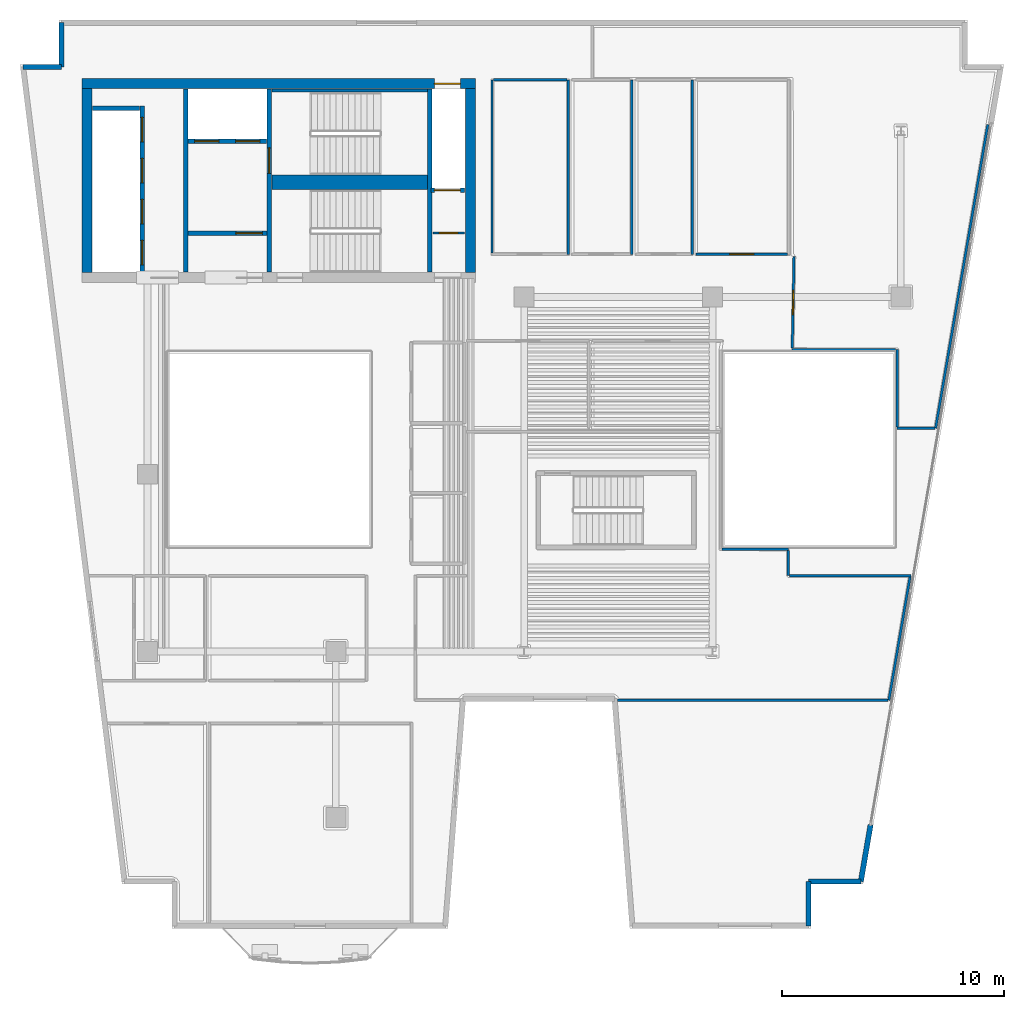
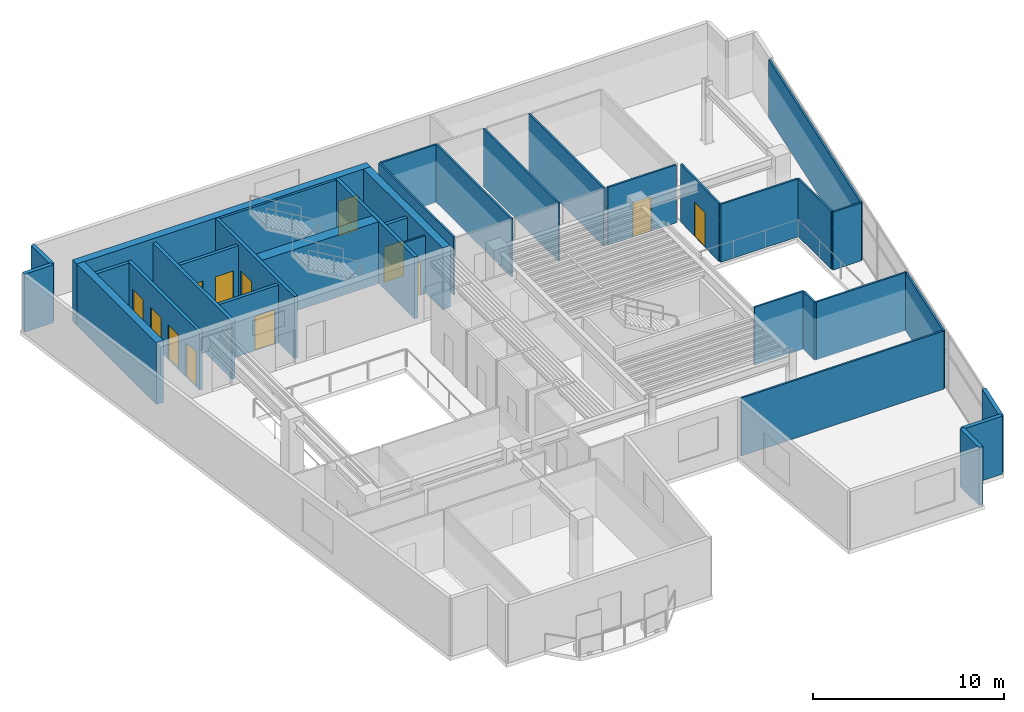
# One storey, part 5 of 9: 35 walls, 13 doors, 13 openings.
"""IFC4 building model written with IfcOpenShell, lengths in metres."""

from ifc_helpers import new_model, si_unit, direction, frame, frame_2d, origin, place, context, subcontext, project, spatial, rectangle, extrude, material, layer, layer_set, type_object, element, fill, save


model = new_model("IFC4")

# Units and contexts
model_context = context("Model", 3, precision=1e-05, world=origin(), true_north=direction((0.0, 1.0)))
body_context = subcontext(model_context, "Body", "Model", "MODEL_VIEW")
ifc_project = project(units=[si_unit("LENGTHUNIT", "METRE"), si_unit("AREAUNIT", "SQUARE_METRE"), si_unit("VOLUMEUNIT", "CUBIC_METRE"), si_unit("PLANEANGLEUNIT", "RADIAN"), si_unit("MASSUNIT", "GRAM", prefix="KILO")], contexts=[model_context])

# Site, building, storey
site_placement = place(None, origin())
site = spatial("IfcSite", under=ifc_project, at=site_placement, CompositionType="ELEMENT")
building_placement = place(site_placement, origin())
building = spatial("IfcBuilding", under=site, at=building_placement, Name="Caeloran Harvest Quay", CompositionType="ELEMENT")
storey_placement = place(building_placement, frame((0.0, 0.0, 211.39990234375)))
storey = spatial("IfcBuildingStorey", under=building, at=storey_placement, Name="L50", CompositionType="ELEMENT", Elevation=211.39990234375)

# Walls
ifc_material_1 = material(Name="Precast concrete C50/60", Category="concrete")
ifc_layer_1 = layer(ifc_material_1, 0.239990234375, Name="Precast concrete C50/60")
ifc_layer_set_1 = layer_set([ifc_layer_1], Name="Precast concrete C50/60")
wall_type_1 = type_object("IfcWallType", Name="ENV-WALL-EW-240", PredefinedType="STANDARD", material=ifc_layer_set_1)
wall_1_placement = place(storey_placement, frame((2.884765625, 41.3798828125, 0.0), z_axis=(0.0, 0.0, 1.0), x_axis=(1.0, 0.0, 0.0)))
element("IfcWall", 1, at=wall_1_placement, inside=storey, type_object=wall_type_1, Name="L50 Exterior Precast Concrete Facade Wall 4", PredefinedType="STANDARD", context=body_context, shape_type="SweptSolid", body=[
    extrude(rectangle(XDim=1.7353515625, YDim=0.239990234375, at=frame_2d((0.86767578125, 0.0))), origin(), (0.0, 0.0, 1.0), 3.7001953125),
])
wall_2_placement = place(storey_placement, frame((4.6201171875, 41.3798828125, 0.0), z_axis=(0.0, 0.0, 1.0), x_axis=(0.0, 1.0, 0.0)))
element("IfcWall", 2, at=wall_2_placement, inside=storey, type_object=wall_type_1, Name="L50 Exterior Precast Concrete Facade Wall 5", PredefinedType="STANDARD", context=body_context, shape_type="SweptSolid", body=[
    extrude(rectangle(XDim=2.0, YDim=0.239990234375, at=frame_2d((1.0, 0.0))), origin(), (0.0, 0.0, 1.0), 3.7001953125),
])
wall_3_placement = place(storey_placement, frame((41.135986328125, 7.182373046875, 0.0), z_axis=(0.0, 0.0, 1.0), x_axis=(-0.169315679152, -0.985561870606, 0.0)))
element("IfcWall", 3, at=wall_3_placement, inside=storey, type_object=wall_type_1, Name="L50 Exterior Facade Corner Pier Wall 9B", PredefinedType="STANDARD", context=body_context, shape_type="SweptSolid", body=[
    extrude(rectangle(XDim=2.599853515625, YDim=0.239990234375, at=frame_2d((1.2998046875, 0.0))), origin(), (0.0, 0.0, 1.0), 3.7001953125),
])
wall_4_placement = place(storey_placement, frame((40.69580078125, 4.6201171875, 0.0), z_axis=(0.0, 0.0, 1.0), x_axis=(-1.0, 0.0, 0.0)))
element("IfcWall", 4, at=wall_4_placement, inside=storey, type_object=wall_type_1, Name="L50 Exterior Precast Concrete Facade Wall 10", PredefinedType="STANDARD", context=body_context, shape_type="SweptSolid", body=[
    extrude(rectangle(XDim=2.36279296875, YDim=0.239990234375, at=frame_2d((1.181396484375, 0.0))), origin(), (0.0, 0.0, 1.0), 3.7001953125),
])
wall_5_placement = place(storey_placement, frame((38.3330078125, 4.6201171875, 0.0), z_axis=(0.0, 0.0, 1.0), x_axis=(0.0, -1.0, 0.0)))
element("IfcWall", 5, at=wall_5_placement, inside=storey, type_object=wall_type_1, Name="L50 Exterior Precast Concrete Facade Wall 11", PredefinedType="STANDARD", context=body_context, shape_type="SweptSolid", body=[
    extrude(rectangle(XDim=2.0, YDim=0.239990234375, at=frame_2d((1.0, 0.0))), origin(), (0.0, 0.0, 1.0), 3.7001953125),
])

# Wall, opening, door
ifc_material_2 = material(Name="Fire-Resisting Gypsum Core Riser Partition", Category="gypsum")
ifc_layer_2 = layer(ifc_material_2, 0.10009765625, Name="Fire-Resisting Gypsum Core Riser Partition")
ifc_layer_set_2 = layer_set([ifc_layer_2], Name="Fire-Resisting Gypsum Core Riser Partition")
wall_type_2 = type_object("IfcWallType", Name="INT-WALL-PW-100", PredefinedType="PARTITIONING", material=ifc_layer_set_2)
wall_6_placement = place(storey_placement, frame((21.3798828125, 33.889892578125, 0.0), z_axis=(0.0, 0.0, 1.0), x_axis=(1.0, 0.0, 0.0)))
wall_6 = element("IfcWall", 6, at=wall_6_placement, inside=storey, type_object=wall_type_2, Name="L50 Cleaner Store Partition Wall", PredefinedType="PARTITIONING", context=body_context, shape_type="SweptSolid", body=[
    extrude(rectangle(XDim=1.420166015625, YDim=0.10009765625, at=frame_2d((0.7099609375, 0.0))), origin(), (0.0, 0.0, 1.0), 3.7001953125),
])
opening_1_placement = place(wall_6_placement, frame((0.280029296875, 0.0, 0.0)))
opening_1 = element("IfcOpeningElement", 7, at=opening_1_placement, cuts=wall_6, Name="Opening SV-01", PredefinedType="OPENING", context=body_context, shape_type="SweptSolid", body=[
    extrude(rectangle(XDim=0.85009765625, YDim=2.10009765625, at=frame_2d((0.425048828125, 1.050048828125))), frame((0.0, 0.06005859375, 0.0), z_axis=(0.0, -1.0, 0.0), x_axis=(1.0, 0.0, 0.0)), (0.0, 0.0, 1.0), 0.1201171875),
])
ifc_material_3 = material(Name="Galvanized Painted Steel", Category="steel")
door_type_1 = type_object("IfcDoorType", Name="INTDOOR-SV-01", OperationType="NOTDEFINED", PredefinedType="DOOR", material=ifc_material_3)
door_1_placement = place(opening_1_placement, origin())
door_1 = element("IfcDoor", 8, at=door_1_placement, inside=storey, type_object=door_type_1, Name="L50 Cleaner Supply Store Access Door", OperationType="SINGLE_SWING_RIGHT", OverallHeight=2.10009765625, OverallWidth=0.85009765625, PredefinedType="DOOR", context=body_context, shape_type="SweptSolid", body=[
    extrude(rectangle(XDim=0.85009765625, YDim=2.10009765625, at=frame_2d((0.425048828125, 1.050048828125))), frame((0.0, 0.02490234375, 0.0), z_axis=(0.0, -1.0, 0.0), x_axis=(1.0, 0.0, 0.0)), (0.0, 0.0, 1.0), 0.050048828125),
])
fill(opening_1, door_1)

# Walls
ifc_material_4 = material(Name="Single-Stud Acoustic Gypsum Office Partition", Category="gypsum")
ifc_layer_3 = layer(ifc_material_4, 0.112060546875, Name="Single-Stud Acoustic Gypsum Office Partition")
ifc_layer_set_3 = layer_set([ifc_layer_3], Name="Single-Stud Acoustic Gypsum Office Partition")
wall_type_3 = type_object("IfcWallType", Name="INT-WALL-PW-112", PredefinedType="PARTITIONING", material=ifc_layer_set_3)
wall_7_placement = place(storey_placement, frame((27.5, 40.800048828125, 0.0), z_axis=(0.0, 0.0, 1.0), x_axis=(0.0, -1.0, 0.0)))
element("IfcWall", 9, at=wall_7_placement, inside=storey, type_object=wall_type_3, Name="L50 Bioinformatics Briefing Lounge Partition Wall", PredefinedType="PARTITIONING", context=body_context, shape_type="SweptSolid", body=[
    extrude(rectangle(XDim=7.880126953125, YDim=0.112060546875, at=frame_2d((3.93994140625, 0.0))), origin(), (0.0, 0.0, 1.0), 3.7001953125),
])
wall_8_placement = place(storey_placement, frame((24.050048828125, 32.98095703125, 0.0), z_axis=(0.0, 0.0, 1.0), x_axis=(0.0, 1.0, 0.0)))
element("IfcWall", 10, at=wall_8_placement, inside=storey, type_object=wall_type_3, Name="L50 Bioinformatics Briefing Lounge Partition Wall", PredefinedType="PARTITIONING", context=body_context, shape_type="SweptSolid", body=[
    extrude(rectangle(XDim=7.819091796875, YDim=0.112060546875, at=frame_2d((3.90966796875, 0.0))), origin(), (0.0, 0.0, 1.0), 3.7001953125),
])
wall_9_placement = place(storey_placement, frame((24.111083984375, 40.800048828125, 0.0), z_axis=(0.0, 0.0, 1.0), x_axis=(1.0, 0.0, 0.0)))
element("IfcWall", 11, at=wall_9_placement, inside=storey, type_object=wall_type_3, Name="L50 Bioinformatics Briefing Lounge Partition Wall", PredefinedType="PARTITIONING", context=body_context, shape_type="SweptSolid", body=[
    extrude(rectangle(XDim=3.327880859375, YDim=0.112060546875, at=frame_2d((1.6640625, 0.0))), origin(), (0.0, 0.0, 1.0), 3.7001953125),
])
for number, where, z_axis, x_axis, name in (
    (12, (30.35009765625, 40.800048828125, 0.0), (0.0, 0.0, 1.0), (0.0, -1.0, 0.0), "L50 Seed Imaging Laboratory Partition Wall"),
    (13, (33.090087890625, 40.800048828125, 0.0), (0.0, 0.0, 1.0), (0.0, -1.0, 0.0), "L50 Genomics Seminar West Room Partition Wall"),
):
    element("IfcWall", number, at=place(storey_placement, frame(where, z_axis=z_axis, x_axis=x_axis)), inside=storey, type_object=wall_type_3, Name=name, PredefinedType="PARTITIONING", context=body_context, shape_type="SweptSolid", body=[
        extrude(rectangle(XDim=7.880126953125, YDim=0.112060546875, at=frame_2d((3.93994140625, 0.0))), origin(), (0.0, 0.0, 1.0), 3.7001953125),
    ])

# Wall, opening, door
wall_10_placement = place(storey_placement, frame((37.388916015625, 32.919921875, 0.0), z_axis=(0.0, 0.0, 1.0), x_axis=(-1.0, 0.0, 0.0)))
wall_10 = element("IfcWall", 14, at=wall_10_placement, inside=storey, type_object=wall_type_3, Name="L50 Executive Archive East Studio Partition Wall", PredefinedType="PARTITIONING", context=body_context, shape_type="SweptSolid", body=[
    extrude(rectangle(XDim=4.138916015625, YDim=0.112060546875, at=frame_2d((2.0693359375, 0.0))), origin(), (0.0, 0.0, 1.0), 3.7001953125),
])
opening_2_placement = place(wall_10_placement, frame((1.51953125, 0.0, 0.0)))
opening_2 = element("IfcOpeningElement", 15, at=opening_2_placement, cuts=wall_10, Name="Opening ID-04", PredefinedType="OPENING", context=body_context, shape_type="SweptSolid", body=[
    extrude(rectangle(XDim=1.10009765625, YDim=2.199951171875, at=frame_2d((0.550048828125, 1.10009765625))), frame((0.0, 0.06591796875, 0.0), z_axis=(0.0, -1.0, 0.0), x_axis=(1.0, 0.0, 0.0)), (0.0, 0.0, 1.0), 0.132080078125),
])
ifc_material_5 = material(Name="Acoustic Walnut Veneer Executive Door", Category="wood")
door_type_2 = type_object("IfcDoorType", Name="INTDOOR-ID-04", OperationType="NOTDEFINED", PredefinedType="DOOR", material=ifc_material_5)
door_2_placement = place(opening_2_placement, origin())
door_2 = element("IfcDoor", 16, at=door_2_placement, inside=storey, type_object=door_type_2, Name="L50 Executive Archive East Studio Access Door", OperationType="SINGLE_SWING_RIGHT", OverallHeight=2.199951171875, OverallWidth=1.10009765625, PredefinedType="DOOR", context=body_context, shape_type="SweptSolid", body=[
    extrude(rectangle(XDim=1.10009765625, YDim=2.199951171875, at=frame_2d((0.550048828125, 1.10009765625))), frame((0.0, 0.02490234375, 0.0), z_axis=(0.0, -1.0, 0.0), x_axis=(1.0, 0.0, 0.0)), (0.0, 0.0, 1.0), 0.050048828125),
])
fill(opening_2, door_2)

# Walls
wall_11_placement = place(storey_placement, frame((34.430908203125, 19.6201171875, 0.0), z_axis=(0.0, 0.0, 1.0), x_axis=(1.0, 0.0, 0.0)))
element("IfcWall", 17, at=wall_11_placement, inside=storey, type_object=wall_type_3, Name="Roundtable Conference Room Partition Wall", PredefinedType="PARTITIONING", context=body_context, shape_type="SweptSolid", body=[
    extrude(rectangle(XDim=2.989013671875, YDim=0.112060546875, at=frame_2d((1.49462890625, 0.0))), origin(), (0.0, 0.0, 1.0), 3.7001953125),
])
wall_12_placement = place(storey_placement, frame((37.419921875, 19.55908203125, 0.0), z_axis=(0.0, 0.0, 1.0), x_axis=(0.0, -1.0, 0.0)))
element("IfcWall", 18, at=wall_12_placement, inside=storey, type_object=wall_type_3, Name="Roundtable Conference Room Partition Wall", PredefinedType="PARTITIONING", context=body_context, shape_type="SweptSolid", body=[
    extrude(rectangle(XDim=1.13916015625, YDim=0.112060546875, at=frame_2d((0.569580078125, 0.0))), origin(), (0.0, 0.0, 1.0), 3.7001953125),
])
wall_13_placement = place(storey_placement, frame((37.48095703125, 18.419921875, 0.0), z_axis=(0.0, 0.0, 1.0), x_axis=(1.0, 0.0, 0.0)))
element("IfcWall", 19, at=wall_13_placement, inside=storey, type_object=wall_type_3, Name="Roundtable Conference Room Partition Wall", PredefinedType="PARTITIONING", context=body_context, shape_type="SweptSolid", body=[
    extrude(rectangle(XDim=5.47998046875, YDim=0.112060546875, at=frame_2d((2.739990234375, 0.0))), origin(), (0.0, 0.0, 1.0), 3.7001953125),
])
wall_14_placement = place(storey_placement, frame((42.91455078125, 18.35888671875, 0.0), z_axis=(0.0, 0.0, 1.0), x_axis=(-0.169247345334, -0.985573607651, 0.0)))
element("IfcWall", 20, at=wall_14_placement, inside=storey, type_object=wall_type_3, Name="Roundtable Conference Room Partition Wall", PredefinedType="PARTITIONING", context=body_context, shape_type="SweptSolid", body=[
    extrude(rectangle(XDim=5.64013671875, YDim=0.112060546875, at=frame_2d((2.820068359375, 0.0))), origin(), (0.0, 0.0, 1.0), 3.7001953125),
])
wall_15_placement = place(storey_placement, frame((41.930419921875, 12.800048828125, 0.0), z_axis=(0.0, 0.0, 1.0), x_axis=(-1.0, 0.0, 0.0)))
element("IfcWall", 21, at=wall_15_placement, inside=storey, type_object=wall_type_3, Name="Roundtable Conference Room Partition Wall", PredefinedType="PARTITIONING", context=body_context, shape_type="SweptSolid", body=[
    extrude(rectangle(XDim=12.21923828125, YDim=0.112060546875, at=frame_2d((6.109619140625, 0.0))), origin(), (0.0, 0.0, 1.0), 3.7001953125),
])
wall_16_placement = place(storey_placement, frame((46.424560546875, 38.777099609375, 0.0), z_axis=(0.0, 0.0, 1.0), x_axis=(-0.169413343695, -0.985545087238, 0.0)))
element("IfcWall", 22, at=wall_16_placement, inside=storey, type_object=wall_type_3, Name="Policy Seminar Meeting Hall 8 Partition Wall", PredefinedType="PARTITIONING", context=body_context, shape_type="SweptSolid", body=[
    extrude(rectangle(XDim=13.89794921875, YDim=0.112060546875, at=frame_2d((6.948974609375, 0.0))), origin(), (0.0, 0.0, 1.0), 3.7001953125),
])
wall_17_placement = place(storey_placement, frame((44.04052734375, 25.080078125, 0.0), z_axis=(0.0, 0.0, 1.0), x_axis=(-1.0, 0.0, 0.0)))
element("IfcWall", 23, at=wall_17_placement, inside=storey, type_object=wall_type_3, Name="Policy Seminar Meeting Hall 8 Partition Wall", PredefinedType="PARTITIONING", context=body_context, shape_type="SweptSolid", body=[
    extrude(rectangle(XDim=1.71044921875, YDim=0.112060546875, at=frame_2d((0.855224609375, 0.0))), origin(), (0.0, 0.0, 1.0), 3.7001953125),
])
wall_18_placement = place(storey_placement, frame((42.330078125, 25.14111328125, 0.0), z_axis=(0.0, 0.0, 1.0), x_axis=(0.0, 1.0, 0.0)))
element("IfcWall", 24, at=wall_18_placement, inside=storey, type_object=wall_type_3, Name="Policy Seminar Meeting Hall 8 Partition Wall", PredefinedType="PARTITIONING", context=body_context, shape_type="SweptSolid", body=[
    extrude(rectangle(XDim=3.48876953125, YDim=0.112060546875, at=frame_2d((1.744384765625, 0.0))), origin(), (0.0, 0.0, 1.0), 3.7001953125),
])
wall_19_placement = place(storey_placement, frame((42.26904296875, 28.6298828125, 0.0), z_axis=(0.0, 0.0, 1.0), x_axis=(-1.0, 0.0, 0.0)))
element("IfcWall", 25, at=wall_19_placement, inside=storey, type_object=wall_type_3, Name="Policy Seminar Meeting Hall 8 Partition Wall", PredefinedType="PARTITIONING", context=body_context, shape_type="SweptSolid", body=[
    extrude(rectangle(XDim=4.671142578125, YDim=0.112060546875, at=frame_2d((2.33544921875, 0.0))), origin(), (0.0, 0.0, 1.0), 3.7001953125),
])

# Wall, opening, door
wall_20_placement = place(storey_placement, frame((37.59912109375, 28.69091796875, 0.0), z_axis=(0.0, 0.0, 1.0), x_axis=(0.019566997539, 0.999808547977, 0.0)))
wall_20 = element("IfcWall", 26, at=wall_20_placement, inside=storey, type_object=wall_type_3, Name="Policy Seminar Meeting Hall 8 Partition Wall", PredefinedType="PARTITIONING", context=body_context, shape_type="SweptSolid", body=[
    extrude(rectangle(XDim=4.1298828125, YDim=0.112060546875, at=frame_2d((2.06494140625, 0.0))), origin(), (0.0, 0.0, 1.0), 3.7001953125),
])
opening_3_placement = place(wall_20_placement, frame((1.514892578125, 0.0, 0.0)))
opening_3 = element("IfcOpeningElement", 27, at=opening_3_placement, cuts=wall_20, Name="Opening ID-04", PredefinedType="OPENING", context=body_context, shape_type="SweptSolid", body=[
    extrude(rectangle(XDim=1.10009765625, YDim=2.199951171875, at=frame_2d((0.550048828125, 1.10009765625))), frame((0.0, 0.06591796875, 0.0), z_axis=(0.0, -1.0, 0.0), x_axis=(1.0, 0.0, 0.0)), (0.0, 0.0, 1.0), 0.132080078125),
])
door_3_placement = place(opening_3_placement, origin())
door_3 = element("IfcDoor", 28, at=door_3_placement, inside=storey, type_object=door_type_2, Name="Policy Seminar Meeting Hall 8 Access Door", OperationType="SINGLE_SWING_LEFT", OverallHeight=2.199951171875, OverallWidth=1.10009765625, PredefinedType="DOOR", context=body_context, shape_type="SweptSolid", body=[
    extrude(rectangle(XDim=1.10009765625, YDim=2.199951171875, at=frame_2d((0.550048828125, 1.10009765625))), frame((0.0, 0.02490234375, 0.0), z_axis=(0.0, -1.0, 0.0), x_axis=(1.0, 0.0, 0.0)), (0.0, 0.0, 1.0), 0.050048828125),
])
fill(opening_3, door_3)

# Wall, openings, doors
ifc_material_6 = material(Name="Concrete C50/60", Category="concrete")
ifc_layer_4 = layer(ifc_material_6, 0.199951171875, Name="Concrete C50/60")
ifc_layer_set_4 = layer_set([ifc_layer_4], Name="Concrete C50/60")
wall_type_4 = type_object("IfcWallType", Name="INT-WALL-SW-200", PredefinedType="PARTITIONING", material=ifc_layer_set_4)
wall_21_placement = place(storey_placement, frame((8.260009765625, 32.1201171875, 0.0), z_axis=(0.0, 0.0, 1.0), x_axis=(0.0, 1.0, 0.0)))
wall_21 = element("IfcWall", 29, at=wall_21_placement, inside=storey, type_object=wall_type_4, Name="L50 Bank 3 Lift Shaft Wall", PredefinedType="PARTITIONING", context=body_context, shape_type="SweptSolid", body=[
    extrude(rectangle(XDim=7.5, YDim=0.199951171875, at=frame_2d((3.75, 0.0))), origin(), (0.0, 0.0, 1.0), 3.7001953125),
])
opening_4_placement = place(wall_21_placement, frame((0.330078125, 0.0, 0.0)))
opening_4 = element("IfcOpeningElement", 30, at=opening_4_placement, cuts=wall_21, Name="Opening LD-01", PredefinedType="OPENING", context=body_context, shape_type="SweptSolid", body=[
    extrude(rectangle(XDim=1.10009765625, YDim=2.199951171875, at=frame_2d((0.550048828125, 1.10009765625))), frame((0.0, 0.10986328125, 0.0), z_axis=(0.0, -1.0, 0.0), x_axis=(1.0, 0.0, 0.0)), (0.0, 0.0, 1.0), 0.219970703125),
])
opening_5_placement = place(wall_21_placement, frame((2.179931640625, 0.0, 0.0)))
opening_5 = element("IfcOpeningElement", 31, at=opening_5_placement, cuts=wall_21, Name="Opening LD-01", PredefinedType="OPENING", context=body_context, shape_type="SweptSolid", body=[
    extrude(rectangle(XDim=1.10009765625, YDim=2.199951171875, at=frame_2d((0.550048828125, 1.10009765625))), frame((0.0, 0.10986328125, 0.0), z_axis=(0.0, -1.0, 0.0), x_axis=(1.0, 0.0, 0.0)), (0.0, 0.0, 1.0), 0.219970703125),
])
opening_6_placement = place(wall_21_placement, frame((4.030029296875, 0.0, 0.0)))
opening_6 = element("IfcOpeningElement", 32, at=opening_6_placement, cuts=wall_21, Name="Opening LD-01", PredefinedType="OPENING", context=body_context, shape_type="SweptSolid", body=[
    extrude(rectangle(XDim=1.10009765625, YDim=2.199951171875, at=frame_2d((0.550048828125, 1.10009765625))), frame((0.0, 0.10986328125, 0.0), z_axis=(0.0, -1.0, 0.0), x_axis=(1.0, 0.0, 0.0)), (0.0, 0.0, 1.0), 0.219970703125),
])
opening_7_placement = place(wall_21_placement, frame((5.8798828125, 0.0, 0.0)))
opening_7 = element("IfcOpeningElement", 33, at=opening_7_placement, cuts=wall_21, Name="Opening LD-01", PredefinedType="OPENING", context=body_context, shape_type="SweptSolid", body=[
    extrude(rectangle(XDim=1.10009765625, YDim=2.199951171875, at=frame_2d((0.550048828125, 1.10009765625))), frame((0.0, 0.10986328125, 0.0), z_axis=(0.0, -1.0, 0.0), x_axis=(1.0, 0.0, 0.0)), (0.0, 0.0, 1.0), 0.219970703125),
])
ifc_material_7 = material(Name="Stainless Steel Grade 316", Category="steel")
door_type_3 = type_object("IfcDoorType", Name="INTDOOR-LD-01", OperationType="NOTDEFINED", PredefinedType="DOOR", material=ifc_material_7)
door_4_placement = place(opening_4_placement, origin())
door_4 = element("IfcDoor", 34, at=door_4_placement, inside=storey, type_object=door_type_3, Name="Lift P3-1 Sliding Landing Door (L50)", OperationType="DOUBLE_DOOR_SLIDING", OverallHeight=2.199951171875, OverallWidth=1.10009765625, PredefinedType="DOOR", context=body_context, shape_type="SweptSolid", body=[
    extrude(rectangle(XDim=1.10009765625, YDim=2.199951171875, at=frame_2d((0.550048828125, 1.10009765625))), frame((0.0, 0.02490234375, 0.0), z_axis=(0.0, -1.0, 0.0), x_axis=(1.0, 0.0, 0.0)), (0.0, 0.0, 1.0), 0.050048828125),
])
fill(opening_4, door_4)
door_5_placement = place(opening_5_placement, origin())
door_5 = element("IfcDoor", 35, at=door_5_placement, inside=storey, type_object=door_type_3, Name="Lift P3-2 Sliding Landing Door (L50)", OperationType="DOUBLE_DOOR_SLIDING", OverallHeight=2.199951171875, OverallWidth=1.10009765625, PredefinedType="DOOR", context=body_context, shape_type="SweptSolid", body=[
    extrude(rectangle(XDim=1.10009765625, YDim=2.199951171875, at=frame_2d((0.550048828125, 1.10009765625))), frame((0.0, 0.02490234375, 0.0), z_axis=(0.0, -1.0, 0.0), x_axis=(1.0, 0.0, 0.0)), (0.0, 0.0, 1.0), 0.050048828125),
])
fill(opening_5, door_5)
door_6_placement = place(opening_6_placement, origin())
door_6 = element("IfcDoor", 36, at=door_6_placement, inside=storey, type_object=door_type_3, Name="Lift P3-3 Sliding Landing Door (L50)", OperationType="DOUBLE_DOOR_SLIDING", OverallHeight=2.199951171875, OverallWidth=1.10009765625, PredefinedType="DOOR", context=body_context, shape_type="SweptSolid", body=[
    extrude(rectangle(XDim=1.10009765625, YDim=2.199951171875, at=frame_2d((0.550048828125, 1.10009765625))), frame((0.0, 0.02490234375, 0.0), z_axis=(0.0, -1.0, 0.0), x_axis=(1.0, 0.0, 0.0)), (0.0, 0.0, 1.0), 0.050048828125),
])
fill(opening_6, door_6)
door_7_placement = place(opening_7_placement, origin())
door_7 = element("IfcDoor", 37, at=door_7_placement, inside=storey, type_object=door_type_3, Name="Lift P3-4 Sliding Landing Door (L50)", OperationType="DOUBLE_DOOR_SLIDING", OverallHeight=2.199951171875, OverallWidth=1.10009765625, PredefinedType="DOOR", context=body_context, shape_type="SweptSolid", body=[
    extrude(rectangle(XDim=1.10009765625, YDim=2.199951171875, at=frame_2d((0.550048828125, 1.10009765625))), frame((0.0, 0.02490234375, 0.0), z_axis=(0.0, -1.0, 0.0), x_axis=(1.0, 0.0, 0.0)), (0.0, 0.0, 1.0), 0.050048828125),
])
fill(opening_7, door_7)

# Walls
wall_22_placement = place(storey_placement, frame((6.02001953125, 39.52001953125, 0.0), z_axis=(0.0, 0.0, 1.0), x_axis=(1.0, 0.0, 0.0)))
element("IfcWall", 38, at=wall_22_placement, inside=storey, type_object=wall_type_4, Name="L50 Bank 3 Lift Shaft North End Wall", PredefinedType="PARTITIONING", context=body_context, shape_type="SweptSolid", body=[
    extrude(rectangle(XDim=2.119873046875, YDim=0.199951171875, at=frame_2d((1.06005859375, 0.0))), origin(), (0.0, 0.0, 1.0), 3.7001953125),
])
wall_23_placement = place(storey_placement, frame((10.219970703125, 32.1201171875, 0.0), z_axis=(0.0, 0.0, 1.0), x_axis=(0.0, 1.0, 0.0)))
element("IfcWall", 39, at=wall_23_placement, inside=storey, type_object=wall_type_4, Name="L50 Core Lobby Compartment Wall", PredefinedType="PARTITIONING", context=body_context, shape_type="SweptSolid", body=[
    extrude(rectangle(XDim=8.259765625, YDim=0.199951171875, at=frame_2d((4.1298828125, 0.0))), origin(), (0.0, 0.0, 1.0), 3.7001953125),
])

# Wall, openings, doors
wall_24_placement = place(storey_placement, frame((10.340087890625, 38.02001953125, 0.0), z_axis=(0.0, 0.0, 1.0), x_axis=(1.0, 0.0, 0.0)))
wall_24 = element("IfcWall", 40, at=wall_24_placement, inside=storey, type_object=wall_type_4, Name="L50 Firefighting Lift Shaft Wall", PredefinedType="PARTITIONING", context=body_context, shape_type="SweptSolid", body=[
    extrude(rectangle(XDim=3.539794921875, YDim=0.199951171875, at=frame_2d((1.77001953125, 0.0))), origin(), (0.0, 0.0, 1.0), 3.7001953125),
])
opening_8_placement = place(wall_24_placement, frame((0.284912109375, 0.0, 0.0)))
opening_8 = element("IfcOpeningElement", 41, at=opening_8_placement, cuts=wall_24, Name="Opening LD-01", PredefinedType="OPENING", context=body_context, shape_type="SweptSolid", body=[
    extrude(rectangle(XDim=1.10009765625, YDim=2.199951171875, at=frame_2d((0.550048828125, 1.10009765625))), frame((0.0, 0.10986328125, 0.0), z_axis=(0.0, -1.0, 0.0), x_axis=(1.0, 0.0, 0.0)), (0.0, 0.0, 1.0), 0.219970703125),
])
opening_9_placement = place(wall_24_placement, frame((2.135009765625, 0.0, 0.0)))
opening_9 = element("IfcOpeningElement", 42, at=opening_9_placement, cuts=wall_24, Name="Opening LD-01", PredefinedType="OPENING", context=body_context, shape_type="SweptSolid", body=[
    extrude(rectangle(XDim=1.10009765625, YDim=2.199951171875, at=frame_2d((0.550048828125, 1.10009765625))), frame((0.0, 0.10986328125, 0.0), z_axis=(0.0, -1.0, 0.0), x_axis=(1.0, 0.0, 0.0)), (0.0, 0.0, 1.0), 0.219970703125),
])
door_8_placement = place(opening_8_placement, origin())
door_8 = element("IfcDoor", 43, at=door_8_placement, inside=storey, type_object=door_type_3, Name="Lift FF-1 Sliding Landing Door (L50)", OperationType="DOUBLE_DOOR_SLIDING", OverallHeight=2.199951171875, OverallWidth=1.10009765625, PredefinedType="DOOR", context=body_context, shape_type="SweptSolid", body=[
    extrude(rectangle(XDim=1.10009765625, YDim=2.199951171875, at=frame_2d((0.550048828125, 1.10009765625))), frame((0.0, 0.02490234375, 0.0), z_axis=(0.0, -1.0, 0.0), x_axis=(1.0, 0.0, 0.0)), (0.0, 0.0, 1.0), 0.050048828125),
])
fill(opening_8, door_8)
door_9_placement = place(opening_9_placement, origin())
door_9 = element("IfcDoor", 44, at=door_9_placement, inside=storey, type_object=door_type_3, Name="Lift FF-2 Sliding Landing Door (L50)", OperationType="DOUBLE_DOOR_SLIDING", OverallHeight=2.199951171875, OverallWidth=1.10009765625, PredefinedType="DOOR", context=body_context, shape_type="SweptSolid", body=[
    extrude(rectangle(XDim=1.10009765625, YDim=2.199951171875, at=frame_2d((0.550048828125, 1.10009765625))), frame((0.0, 0.02490234375, 0.0), z_axis=(0.0, -1.0, 0.0), x_axis=(1.0, 0.0, 0.0)), (0.0, 0.0, 1.0), 0.050048828125),
])
fill(opening_9, door_9)

# Wall, opening, door
wall_25_placement = place(storey_placement, frame((10.340087890625, 33.8798828125, 0.0), z_axis=(0.0, 0.0, 1.0), x_axis=(1.0, 0.0, 0.0)))
wall_25 = element("IfcWall", 45, at=wall_25_placement, inside=storey, type_object=wall_type_4, Name="L50 Firefighting Lift Lobby Enclosure Wall", PredefinedType="PARTITIONING", context=body_context, shape_type="SweptSolid", body=[
    extrude(rectangle(XDim=3.559814453125, YDim=0.199951171875, at=frame_2d((1.77978515625, 0.0))), origin(), (0.0, 0.0, 1.0), 3.7001953125),
])
opening_10_placement = place(wall_25_placement, frame((2.14990234375, 0.0, 0.0)))
opening_10 = element("IfcOpeningElement", 46, at=opening_10_placement, cuts=wall_25, Name="Opening FD-01", PredefinedType="OPENING", context=body_context, shape_type="SweptSolid", body=[
    extrude(rectangle(XDim=1.199951171875, YDim=2.199951171875, at=frame_2d((0.60009765625, 1.10009765625))), frame((0.0, 0.10986328125, 0.0), z_axis=(0.0, -1.0, 0.0), x_axis=(1.0, 0.0, 0.0)), (0.0, 0.0, 1.0), 0.219970703125),
])
ifc_material_8 = material(Name="Steel", Category="steel")
door_type_4 = type_object("IfcDoorType", Name="INTDOOR-FD-01", OperationType="NOTDEFINED", PredefinedType="DOOR", material=ifc_material_8)
door_10_placement = place(opening_10_placement, origin())
door_10 = element("IfcDoor", 47, at=door_10_placement, inside=storey, type_object=door_type_4, Name="L50 Firefighting Lift Lobby Smoke-Seal Fire Door", OperationType="SINGLE_SWING_LEFT", OverallHeight=2.199951171875, OverallWidth=1.199951171875, PredefinedType="DOOR", context=body_context, shape_type="SweptSolid", body=[
    extrude(rectangle(XDim=1.199951171875, YDim=2.199951171875, at=frame_2d((0.60009765625, 1.10009765625))), frame((0.0, 0.02490234375, 0.0), z_axis=(0.0, -1.0, 0.0), x_axis=(1.0, 0.0, 0.0)), (0.0, 0.0, 1.0), 0.050048828125),
])
fill(opening_10, door_10)

wall_26_placement = place(storey_placement, frame((21.300048828125, 35.820068359375, 0.0), z_axis=(0.0, 0.0, 1.0), x_axis=(1.0, 0.0, 0.0)))
wall_26 = element("IfcWall", 48, at=wall_26_placement, inside=storey, type_object=wall_type_4, Name="L50 Service Lift SV-2 Shaft Wall", PredefinedType="PARTITIONING", context=body_context, shape_type="SweptSolid", body=[
    extrude(rectangle(XDim=1.5, YDim=0.199951171875, at=frame_2d((0.75, 0.0))), origin(), (0.0, 0.0, 1.0), 3.7001953125),
])
opening_11_placement = place(wall_26_placement, frame((0.14501953125, 0.0, 0.0)))
opening_11 = element("IfcOpeningElement", 49, at=opening_11_placement, cuts=wall_26, Name="Opening LD-02", PredefinedType="OPENING", context=body_context, shape_type="SweptSolid", body=[
    extrude(rectangle(XDim=1.179931640625, YDim=2.25, at=frame_2d((0.58984375, 1.125))), frame((0.0, 0.10986328125, 0.0), z_axis=(0.0, -1.0, 0.0), x_axis=(1.0, 0.0, 0.0)), (0.0, 0.0, 1.0), 0.219970703125),
])
door_type_5 = type_object("IfcDoorType", Name="INTDOOR-LD-02", OperationType="NOTDEFINED", PredefinedType="DOOR", material=ifc_material_7)
door_11_placement = place(opening_11_placement, origin())
door_11 = element("IfcDoor", 50, at=door_11_placement, inside=storey, type_object=door_type_5, Name="Lift SV-2 Sliding Landing Door (L50)", OperationType="DOUBLE_DOOR_SLIDING", OverallHeight=2.25, OverallWidth=1.179931640625, PredefinedType="DOOR", context=body_context, shape_type="SweptSolid", body=[
    extrude(rectangle(XDim=1.179931640625, YDim=2.25, at=frame_2d((0.58984375, 1.125))), frame((0.0, 0.02490234375, 0.0), z_axis=(0.0, -1.0, 0.0), x_axis=(1.0, 0.0, 0.0)), (0.0, 0.0, 1.0), 0.050048828125),
])
fill(opening_11, door_11)

ifc_material_9 = material(Name="Concrete C60/75", Category="concrete")
ifc_layer_5 = layer(ifc_material_9, 0.449951171875, Name="Concrete C60/75")
ifc_layer_set_5 = layer_set([ifc_layer_5], Name="Concrete C60/75")
wall_type_5 = type_object("IfcWallType", Name="STR-WALL-CW-450", PredefinedType="SHEAR", material=ifc_layer_set_5)
wall_27_placement = place(storey_placement, frame((5.550048828125, 40.625, 0.0), z_axis=(0.0, 0.0, 1.0), x_axis=(1.0, 0.0, 0.0)))
wall_27 = element("IfcWall", 51, at=wall_27_placement, inside=storey, type_object=wall_type_5, Name="L50 Rear Core Shear Wall N", PredefinedType="SHEAR", context=body_context, shape_type="SweptSolid", body=[
    extrude(rectangle(XDim=17.75, YDim=0.449951171875, at=frame_2d((8.875, 0.0))), origin(), (0.0, 0.0, 1.0), 3.9501953125),
])
opening_12_placement = place(wall_27_placement, frame((15.89501953125, 0.0, 0.0)))
opening_12 = element("IfcOpeningElement", 52, at=opening_12_placement, cuts=wall_27, Name="Opening LD-02", PredefinedType="OPENING", context=body_context, shape_type="SweptSolid", body=[
    extrude(rectangle(XDim=1.179931640625, YDim=2.25, at=frame_2d((0.58984375, 1.125))), frame((0.0, 0.23486328125, 0.0), z_axis=(0.0, -1.0, 0.0), x_axis=(1.0, 0.0, 0.0)), (0.0, 0.0, 1.0), 0.469970703125),
])
door_12_placement = place(opening_12_placement, origin())
door_12 = element("IfcDoor", 53, at=door_12_placement, inside=storey, type_object=door_type_5, Name="Lift SV-1 Sliding Landing Door (L50)", OperationType="DOUBLE_DOOR_SLIDING", OverallHeight=2.25, OverallWidth=1.179931640625, PredefinedType="DOOR", context=body_context, shape_type="SweptSolid", body=[
    extrude(rectangle(XDim=1.179931640625, YDim=2.25, at=frame_2d((0.58984375, 1.125))), frame((0.0, 0.02490234375, 0.0), z_axis=(0.0, -1.0, 0.0), x_axis=(1.0, 0.0, 0.0)), (0.0, 0.0, 1.0), 0.050048828125),
])
fill(opening_12, door_12)

# Walls
for number, where, z_axis, x_axis, name in (
    (54, (5.77490234375, 32.10009765625, 0.0), (0.0, 0.0, 1.0), (0.0, 1.0, 0.0), "L50 Rear Core Shear Wall W"),
    (55, (23.074951171875, 32.10009765625, 0.0), (0.0, 0.0, 1.0), (0.0, 1.0, 0.0), "L50 Rear Core Shear Wall E"),
):
    element("IfcWall", number, at=place(storey_placement, frame(where, z_axis=z_axis, x_axis=x_axis)), inside=storey, type_object=wall_type_5, Name=name, PredefinedType="SHEAR", context=body_context, shape_type="SweptSolid", body=[
        extrude(rectangle(XDim=8.2998046875, YDim=0.449951171875, at=frame_2d((4.14990234375, 0.0))), origin(), (0.0, 0.0, 1.0), 3.9501953125),
    ])
ifc_layer_6 = layer(ifc_material_9, 0.64990234375, Name="Concrete C60/75")
ifc_layer_set_6 = layer_set([ifc_layer_6], Name="Concrete C60/75")
wall_type_6 = type_object("IfcWallType", Name="STR-WALL-CW-650", PredefinedType="SHEAR", material=ifc_layer_set_6)
wall_28_placement = place(storey_placement, frame((14.1201171875, 36.175048828125, 0.0), z_axis=(0.0, 0.0, 1.0), x_axis=(1.0, 0.0, 0.0)))
element("IfcWall", 56, at=wall_28_placement, inside=storey, type_object=wall_type_6, Name="L50 Core Stairs Dividing Shear Wall", PredefinedType="SHEAR", context=body_context, shape_type="SweptSolid", body=[
    extrude(rectangle(XDim=7.009765625, YDim=0.64990234375, at=frame_2d((3.5048828125, 0.0))), origin(), (0.0, 0.0, 1.0), 3.9501953125),
])
ifc_layer_7 = layer(ifc_material_9, 0.139892578125, Name="Concrete C60/75")
ifc_layer_set_7 = layer_set([ifc_layer_7], Name="Concrete C60/75")
wall_type_7 = type_object("IfcWallType", Name="STR-WALL-SW-140", PredefinedType="SHEAR", material=ifc_layer_set_7)
wall_29_placement = place(storey_placement, frame((14.1201171875, 40.320068359375, 0.0), z_axis=(0.0, 0.0, 1.0), x_axis=(1.0, 0.0, 0.0)))
element("IfcWall", 57, at=wall_29_placement, inside=storey, type_object=wall_type_7, Name="L50 Core Stair ST-C1 North Bearing Shear Wall", PredefinedType="SHEAR", context=body_context, shape_type="SweptSolid", body=[
    extrude(rectangle(XDim=7.009765625, YDim=0.139892578125, at=frame_2d((3.5048828125, 0.0))), origin(), (0.0, 0.0, 1.0), 3.9501953125),
])

# Wall, opening, door
ifc_layer_8 = layer(ifc_material_9, 0.199951171875, Name="Concrete C60/75")
ifc_layer_set_8 = layer_set([ifc_layer_8], Name="Concrete C60/75")
wall_type_8 = type_object("IfcWallType", Name="STR-WALL-SW-200", PredefinedType="SHEAR", material=ifc_layer_set_8)
wall_30_placement = place(storey_placement, frame((14.0, 32.1201171875, 0.0), z_axis=(0.0, 0.0, 1.0), x_axis=(0.0, 1.0, 0.0)))
wall_30 = element("IfcWall", 58, at=wall_30_placement, inside=storey, type_object=wall_type_8, Name="L50 Core Stair Shaft West Shear Wall", PredefinedType="SHEAR", context=body_context, shape_type="SweptSolid", body=[
    extrude(rectangle(XDim=8.259765625, YDim=0.199951171875, at=frame_2d((4.1298828125, 0.0))), origin(), (0.0, 0.0, 1.0), 3.9501953125),
])
opening_13_placement = place(wall_30_placement, frame((4.4599609375, 0.0, 0.0)))
opening_13 = element("IfcOpeningElement", 59, at=opening_13_placement, cuts=wall_30, Name="Opening SD-01", PredefinedType="OPENING", context=body_context, shape_type="SweptSolid", body=[
    extrude(rectangle(XDim=1.14990234375, YDim=2.199951171875, at=frame_2d((0.574951171875, 1.10009765625))), frame((0.0, 0.10986328125, 0.0), z_axis=(0.0, -1.0, 0.0), x_axis=(1.0, 0.0, 0.0)), (0.0, 0.0, 1.0), 0.219970703125),
])
door_type_6 = type_object("IfcDoorType", Name="INTDOOR-SD-01", OperationType="NOTDEFINED", PredefinedType="DOOR", material=ifc_material_8)
door_13_placement = place(opening_13_placement, origin())
door_13 = element("IfcDoor", 60, at=door_13_placement, inside=storey, type_object=door_type_6, Name="L50 Protected Stair ST-C1 Exit Door", OperationType="SINGLE_SWING_LEFT", OverallHeight=2.199951171875, OverallWidth=1.14990234375, PredefinedType="DOOR", context=body_context, shape_type="SweptSolid", body=[
    extrude(rectangle(XDim=1.14990234375, YDim=2.199951171875, at=frame_2d((0.574951171875, 1.10009765625))), frame((0.0, 0.02490234375, 0.0), z_axis=(0.0, -1.0, 0.0), x_axis=(1.0, 0.0, 0.0)), (0.0, 0.0, 1.0), 0.050048828125),
])
fill(opening_13, door_13)

# Wall
wall_31_placement = place(storey_placement, frame((21.25, 32.1201171875, 0.0), z_axis=(0.0, 0.0, 1.0), x_axis=(0.0, 1.0, 0.0)))
element("IfcWall", 61, at=wall_31_placement, inside=storey, type_object=wall_type_8, Name="L50 Core Stair Shaft East Shear Wall", PredefinedType="SHEAR", context=body_context, shape_type="SweptSolid", body=[
    extrude(rectangle(XDim=8.259765625, YDim=0.199951171875, at=frame_2d((4.1298828125, 0.0))), origin(), (0.0, 0.0, 1.0), 3.9501953125),
])

save(model, "model.ifc")
